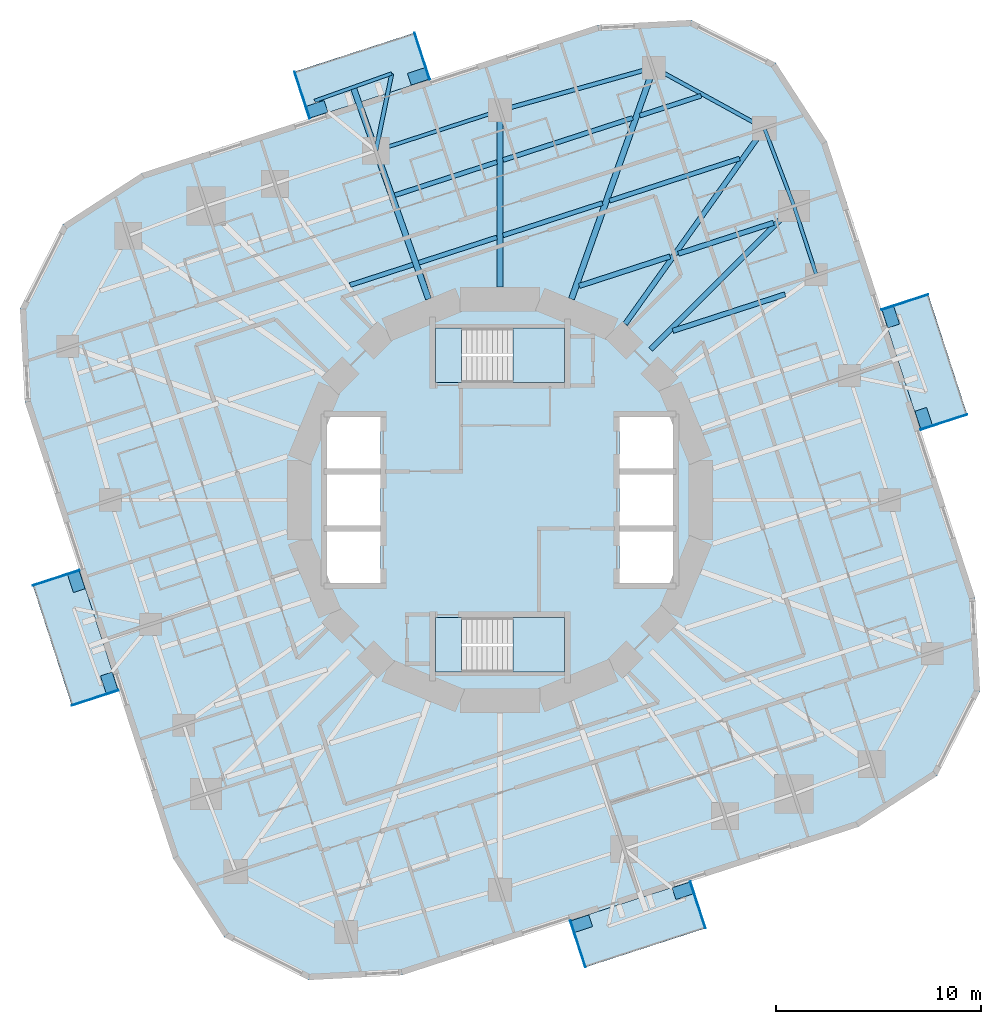
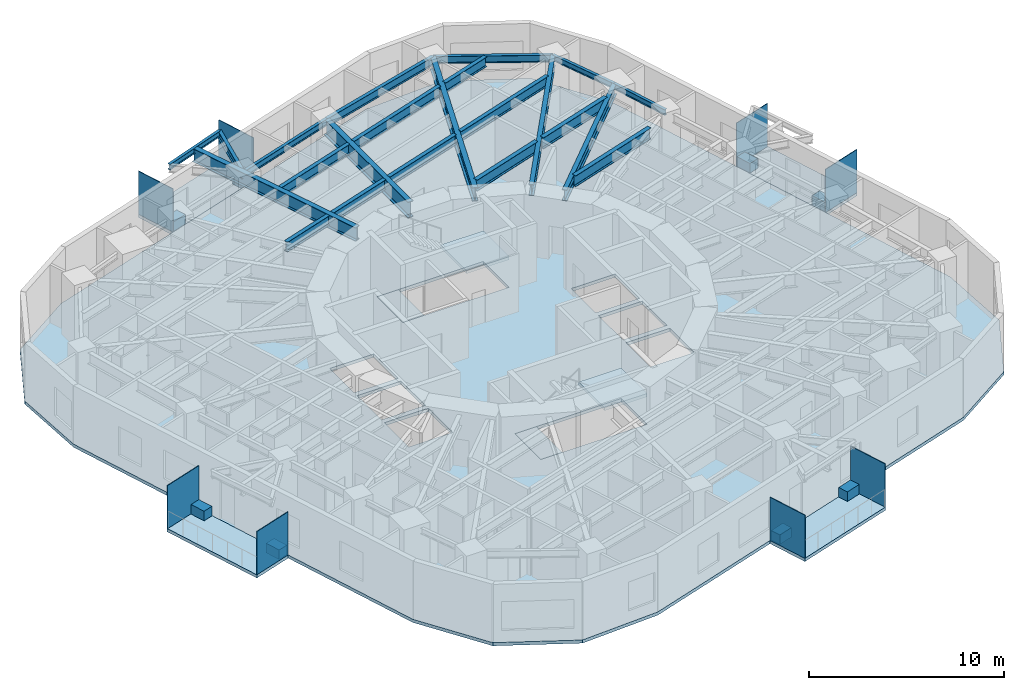
# One storey, part 3 of 13: 22 beams, 16 plates, 9 slabs, 2 elements without a shape of their own.
"""IFC4 building model written with IfcOpenShell, lengths in metres."""

from ifc_helpers import new_model, si_unit, direction, frame, origin, origin_2d, place, context, subcontext, project, spatial, polyline, rectangle, i_section, outline, extrude, material, layer, layer_set, material_profile, profile_set, type_object, element, aggregate, save


model = new_model("IFC4")

# Units and contexts
model_context = context("Model", 3, precision=1e-05, world=origin(), true_north=direction((0.0, 1.0)))
body_context = subcontext(model_context, "Body", "Model", "MODEL_VIEW")
ifc_project = project(units=[si_unit("LENGTHUNIT", "METRE"), si_unit("AREAUNIT", "SQUARE_METRE"), si_unit("VOLUMEUNIT", "CUBIC_METRE"), si_unit("PLANEANGLEUNIT", "RADIAN"), si_unit("MASSUNIT", "GRAM", prefix="KILO")], contexts=[model_context])

# Site, building, storey
site_placement = place(None, origin())
site = spatial("IfcSite", under=ifc_project, at=site_placement, CompositionType="ELEMENT")
building_placement = place(site_placement, origin())
building = spatial("IfcBuilding", under=site, at=building_placement, Name="Nakasero Lantern House", CompositionType="ELEMENT")
storey_placement = place(building_placement, frame((0.0, 0.0, 164.89990234375)))
storey = spatial("IfcBuildingStorey", under=building, at=storey_placement, Name="L40", CompositionType="ELEMENT", Elevation=164.89990234375)

# Beams
ifc_material_1 = material(Name="Steel S355", Category="steel")
ifc_material_profile_1 = material_profile(ifc_material_1, i_section(OverallWidth=0.199462890625, OverallDepth=0.491943359375, WebThickness=0.01806640625, FlangeThickness=0.031982421875, FilletRadius=0.01025390625, at=origin_2d()), Name="UB 457x191x161")
ifc_profile_set_1 = profile_set([ifc_material_profile_1], Name="Steel S355")
beam_type_1 = type_object("IfcBeamType", Name="Balcony splay beam UB 457x191x161", PredefinedType="BEAM", material=ifc_profile_set_1)
beam_1_placement = place(storey_placement, frame((-6.06591796875, 17.060546875, 3.404052734375), z_axis=(0.201831438605, 0.979420272605, 0.0), x_axis=(-0.979420272605, 0.201831438605, 0.0)))
element("IfcBeam", 1, at=beam_1_placement, inside=storey, type_object=beam_type_1, Name="Balcony splay beam L41 B4-C10B", PredefinedType="BEAM", context=body_context, shape_type="SweptSolid", body=[
    extrude(i_section(OverallWidth=0.199462890625, OverallDepth=0.491943359375, WebThickness=0.01806640625, FlangeThickness=0.031982421875, FilletRadius=0.01025390625, at=origin_2d()), origin(), (0.0, 0.0, 1.0), 3.858642578125),
])
ifc_material_2 = material(Name="Steel S355", Category="steel")
ifc_material_profile_2 = material_profile(ifc_material_2, i_section(OverallWidth=0.17138671875, OverallDepth=0.35498046875, WebThickness=0.00732421875, FlangeThickness=0.011474609375, FilletRadius=0.01025390625, at=origin_2d()), Name="UB 356x171x51")
ifc_profile_set_2 = profile_set([ifc_material_profile_2], Name="Steel S355")
beam_type_2 = type_object("IfcBeamType", Name="Balcony tie beam UB 356x171x51", PredefinedType="BEAM", material=ifc_profile_set_2)
beam_2_placement = place(storey_placement, frame((-9.055908203125, 19.499755859375, 3.47265625), z_axis=(0.942209124415, 0.335025321236, 0.0), x_axis=(-0.335025321236, 0.942209124415, 0.0)))
element("IfcBeam", 2, at=beam_2_placement, inside=storey, type_object=beam_type_2, Name="Balcony tie beam L41 B4-C10", PredefinedType="BEAM", context=body_context, shape_type="SweptSolid", body=[
    extrude(i_section(OverallWidth=0.17138671875, OverallDepth=0.35498046875, WebThickness=0.00732421875, FlangeThickness=0.011474609375, FilletRadius=0.01025390625, at=origin_2d()), origin(), (0.0, 0.0, 1.0), 4.0),
])
ifc_material_3 = material(Name="Steel S355", Category="steel")
ifc_material_profile_3 = material_profile(ifc_material_3, i_section(OverallWidth=0.22900390625, OverallDepth=0.6123046875, WebThickness=0.011962890625, FlangeThickness=0.01953125, FilletRadius=0.0126953125, at=origin_2d()), Name="UB 610x229x125")
ifc_profile_set_3 = profile_set([ifc_material_profile_3], Name="Steel S355")
beam_type_3 = type_object("IfcBeamType", Name="Infill beam UB 610x229x125", PredefinedType="JOIST", material=ifc_profile_set_3)
beam_3_placement = place(storey_placement, frame((-7.326171875, 10.5, 3.343994140625), z_axis=(0.951059536905, 0.309007697738, 0.0), x_axis=(-0.309007697738, 0.951059536905, 0.0)))
element("IfcBeam", 3, at=beam_3_placement, inside=storey, type_object=beam_type_3, Name="Infill beam L41 11.5", PredefinedType="JOIST", context=body_context, shape_type="SweptSolid", body=[
    extrude(i_section(OverallWidth=0.22900390625, OverallDepth=0.6123046875, WebThickness=0.011962890625, FlangeThickness=0.01953125, FilletRadius=0.0126953125, at=origin_2d()), origin(), (0.0, 0.0, 1.0), 3.240234375),
])
beam_4_placement = place(storey_placement, frame((-3.96630859375, 11.591796875, 3.343994140625), z_axis=(0.95105910343, 0.309009031878, 0.0), x_axis=(-0.309009031878, 0.95105910343, 0.0)))
element("IfcBeam", 4, at=beam_4_placement, inside=storey, type_object=beam_type_3, Name="Infill beam L41 11.6", PredefinedType="JOIST", context=body_context, shape_type="SweptSolid", body=[
    extrude(i_section(OverallWidth=0.22900390625, OverallDepth=0.6123046875, WebThickness=0.011962890625, FlangeThickness=0.01953125, FilletRadius=0.0126953125, at=origin_2d()), origin(), (0.0, 0.0, 1.0), 4.0126953125),
])
beam_5_placement = place(storey_placement, frame((0.14990234375, 12.92919921875, 3.343994140625), z_axis=(0.951057977144, 0.309012498309, 0.0), x_axis=(-0.309012498309, 0.951057977144, 0.0)))
element("IfcBeam", 5, at=beam_5_placement, inside=storey, type_object=beam_type_3, Name="Infill beam L41 11.7", PredefinedType="JOIST", context=body_context, shape_type="SweptSolid", body=[
    extrude(i_section(OverallWidth=0.22900390625, OverallDepth=0.6123046875, WebThickness=0.011962890625, FlangeThickness=0.01953125, FilletRadius=0.0126953125, at=origin_2d()), origin(), (0.0, 0.0, 1.0), 5.102294921875),
])
beam_6_placement = place(storey_placement, frame((5.353271484375, 14.619873046875, 3.343994140625), z_axis=(0.951056080098, 0.30901833685, 0.0), x_axis=(-0.30901833685, 0.951056080098, 0.0)))
element("IfcBeam", 6, at=beam_6_placement, inside=storey, type_object=beam_type_3, Name="Infill beam L41 11.8", PredefinedType="JOIST", context=body_context, shape_type="SweptSolid", body=[
    extrude(i_section(OverallWidth=0.22900390625, OverallDepth=0.6123046875, WebThickness=0.011962890625, FlangeThickness=0.01953125, FilletRadius=0.0126953125, at=origin_2d()), origin(), (0.0, 0.0, 1.0), 6.68310546875),
])
beam_7_placement = place(storey_placement, frame((-5.139404296875, 14.890625, 3.343994140625), z_axis=(0.951061765699, 0.309000837904, 0.0), x_axis=(-0.309000837904, 0.951061765699, 0.0)))
element("IfcBeam", 7, at=beam_7_placement, inside=storey, type_object=beam_type_3, Name="Infill beam L41 12.5", PredefinedType="JOIST", context=body_context, shape_type="SweptSolid", body=[
    extrude(i_section(OverallWidth=0.22900390625, OverallDepth=0.6123046875, WebThickness=0.011962890625, FlangeThickness=0.01953125, FilletRadius=0.0126953125, at=origin_2d()), origin(), (0.0, 0.0, 1.0), 5.246337890625),
])
beam_8_placement = place(storey_placement, frame((0.14990234375, 16.609375, 3.343994140625), z_axis=(0.951068556075, 0.308979937287, 0.0), x_axis=(-0.308979937287, 0.951068556075, 0.0)))
element("IfcBeam", 8, at=beam_8_placement, inside=storey, type_object=beam_type_3, Name="Infill beam L41 12.6", PredefinedType="JOIST", context=body_context, shape_type="SweptSolid", body=[
    extrude(i_section(OverallWidth=0.22900390625, OverallDepth=0.6123046875, WebThickness=0.011962890625, FlangeThickness=0.01953125, FilletRadius=0.0126953125, at=origin_2d()), origin(), (0.0, 0.0, 1.0), 6.65771484375),
])
beam_9_placement = place(storey_placement, frame((6.832763671875, 18.780517578125, 3.343994140625), z_axis=(0.951054602662, 0.309022883872, 0.0), x_axis=(-0.309022883872, 0.951054602662, 0.0)))
element("IfcBeam", 9, at=beam_9_placement, inside=storey, type_object=beam_type_3, Name="Infill beam L41 12.7", PredefinedType="JOIST", context=body_context, shape_type="SweptSolid", body=[
    extrude(i_section(OverallWidth=0.22900390625, OverallDepth=0.6123046875, WebThickness=0.011962890625, FlangeThickness=0.01953125, FilletRadius=0.0126953125, at=origin_2d()), origin(), (0.0, 0.0, 1.0), 3.145263671875),
])
ifc_material_4 = material(Name="Steel S355", Category="steel")
ifc_material_profile_4 = material_profile(ifc_material_4, i_section(OverallWidth=0.253662109375, OverallDepth=0.68359375, WebThickness=0.012451171875, FlangeThickness=0.01904296875, FilletRadius=0.01513671875, at=origin_2d()), Name="UB 686x254x140")
ifc_profile_set_4 = profile_set([ifc_material_profile_4], Name="Steel S355")
beam_type_4 = type_object("IfcBeamType", Name="Infill beam UB 686x254x140", PredefinedType="JOIST", material=ifc_profile_set_4)
beam_10_placement = place(storey_placement, frame((8.44287109375, 8.263427734375, 3.308349609375), z_axis=(0.951055211673, 0.309021009559, 0.0), x_axis=(-0.309021009559, 0.951055211673, 0.0)))
element("IfcBeam", 10, at=beam_10_placement, inside=storey, type_object=beam_type_4, Name="Infill beam L41 09.2", PredefinedType="JOIST", context=body_context, shape_type="SweptSolid", body=[
    extrude(i_section(OverallWidth=0.253662109375, OverallDepth=0.68359375, WebThickness=0.012451171875, FlangeThickness=0.01904296875, FilletRadius=0.01513671875, at=origin_2d()), origin(), (0.0, 0.0, 1.0), 5.769775390625),
])
beam_11_placement = place(storey_placement, frame((3.8740234375, 10.458984375, 3.308349609375), z_axis=(0.95106063111, 0.309004329989, 0.0), x_axis=(-0.309004329989, 0.95106063111, 0.0)))
element("IfcBeam", 11, at=beam_11_placement, inside=storey, type_object=beam_type_4, Name="Infill beam L41 10.3", PredefinedType="JOIST", context=body_context, shape_type="SweptSolid", body=[
    extrude(i_section(OverallWidth=0.253662109375, OverallDepth=0.68359375, WebThickness=0.012451171875, FlangeThickness=0.01904296875, FilletRadius=0.01513671875, at=origin_2d()), origin(), (0.0, 0.0, 1.0), 4.659912109375),
])
beam_12_placement = place(storey_placement, frame((8.710693359375, 12.030517578125, 3.308349609375), z_axis=(0.951061574069, 0.309001427713, 0.0), x_axis=(-0.309001427713, 0.951061574069, 0.0)))
element("IfcBeam", 12, at=beam_12_placement, inside=storey, type_object=beam_type_4, Name="Infill beam L41 10.4", PredefinedType="JOIST", context=body_context, shape_type="SweptSolid", body=[
    extrude(i_section(OverallWidth=0.253662109375, OverallDepth=0.68359375, WebThickness=0.012451171875, FlangeThickness=0.01904296875, FilletRadius=0.01513671875, at=origin_2d()), origin(), (0.0, 0.0, 1.0), 4.8916015625),
])
ifc_material_5 = material(Name="Steel S355", Category="steel")
ifc_material_profile_5 = material_profile(ifc_material_5, i_section(OverallWidth=0.300048828125, OverallDepth=0.989990234375, WebThickness=0.0166015625, FlangeThickness=0.031005859375, FilletRadius=0.030029296875, at=origin_2d()), Name="UB 1016x305x272")
ifc_profile_set_5 = profile_set([ifc_material_profile_5], Name="Steel S355")
beam_type_5 = type_object("IfcBeamType", Name="Primary beam UB 1016x305x272, span 6 to 9 m", PredefinedType="BEAM", material=ifc_profile_set_5)
beam_13_placement = place(storey_placement, frame((0.0, 19.031494140625, 3.155029296875), z_axis=(0.0, -1.0, 0.0), x_axis=(1.0, 0.0, 0.0)))
element("IfcBeam", 13, at=beam_13_placement, inside=storey, type_object=beam_type_5, Name="Primary beam L41 B4-C09", PredefinedType="BEAM", context=body_context, shape_type="SweptSolid", body=[
    extrude(i_section(OverallWidth=0.300048828125, OverallDepth=0.989990234375, WebThickness=0.0166015625, FlangeThickness=0.031005859375, FilletRadius=0.030029296875, at=origin_2d()), origin(), (0.0, 0.0, 1.0), 8.62353515625),
])
ifc_material_6 = material(Name="Steel S355", Category="steel")
ifc_material_profile_6 = material_profile(ifc_material_6, i_section(OverallWidth=0.253662109375, OverallDepth=0.68359375, WebThickness=0.012451171875, FlangeThickness=0.01904296875, FilletRadius=0.01513671875, at=origin_2d()), Name="UB 686x254x140")
ifc_profile_set_6 = profile_set([ifc_material_profile_6], Name="Steel S355")
beam_type_6 = type_object("IfcBeamType", Name="Primary beam UB 686x254x140, span 9 to 12 m", PredefinedType="BEAM", material=ifc_profile_set_6)
beam_14_placement = place(storey_placement, frame((14.3642578125, 14.3642578125, 3.308349609375), z_axis=(-0.707106781187, -0.707106781187, 0.0), x_axis=(0.707106781187, -0.707106781187, 0.0)))
element("IfcBeam", 14, at=beam_14_placement, inside=storey, type_object=beam_type_6, Name="Primary beam L41 B4-C06", PredefinedType="BEAM", context=body_context, shape_type="SweptSolid", body=[
    extrude(i_section(OverallWidth=0.253662109375, OverallDepth=0.68359375, WebThickness=0.012451171875, FlangeThickness=0.01904296875, FilletRadius=0.01513671875, at=origin_2d()), origin(), (0.0, 0.0, 1.0), 9.906494140625),
])
beam_15_placement = place(storey_placement, frame((12.916015625, 18.1630859375, 3.308349609375), z_axis=(-0.579530236062, -0.814950738075, 0.0), x_axis=(0.814950738075, -0.579530236062, 0.0)))
element("IfcBeam", 15, at=beam_15_placement, inside=storey, type_object=beam_type_6, Name="Primary beam L41 B4-C07", PredefinedType="BEAM", context=body_context, shape_type="SweptSolid", body=[
    extrude(i_section(OverallWidth=0.253662109375, OverallDepth=0.68359375, WebThickness=0.012451171875, FlangeThickness=0.01904296875, FilletRadius=0.01513671875, at=origin_2d()), origin(), (0.0, 0.0, 1.0), 11.73193359375),
])
ifc_material_7 = material(Name="Steel S355", Category="steel")
ifc_material_profile_7 = material_profile(ifc_material_7, i_section(OverallWidth=0.29248046875, OverallDepth=0.8408203125, WebThickness=0.0146484375, FlangeThickness=0.02685546875, FilletRadius=0.017822265625, at=origin_2d()), Name="UB 838x292x194")
ifc_profile_set_7 = profile_set([ifc_material_profile_7], Name="Steel S355")
beam_type_7 = type_object("IfcBeamType", Name="Primary beam UB 838x292x194, span 12 to 15 m", PredefinedType="BEAM", material=ifc_profile_set_7)
beam_16_placement = place(storey_placement, frame((7.5126953125, 21.129638671875, 3.229736328125), z_axis=(-0.335012877559, -0.942213548974, 0.0), x_axis=(0.942213548974, -0.335012877559, 0.0)))
element("IfcBeam", 16, at=beam_16_placement, inside=storey, type_object=beam_type_7, Name="Primary beam L41 B4-C08", PredefinedType="BEAM", context=body_context, shape_type="SweptSolid", body=[
    extrude(i_section(OverallWidth=0.29248046875, OverallDepth=0.8408203125, WebThickness=0.0146484375, FlangeThickness=0.02685546875, FilletRadius=0.017822265625, at=origin_2d()), origin(), (0.0, 0.0, 1.0), 12.00390625),
])
ifc_material_8 = material(Name="Steel S355", Category="steel")
ifc_material_profile_8 = material_profile(ifc_material_8, i_section(OverallWidth=0.29248046875, OverallDepth=0.8408203125, WebThickness=0.0146484375, FlangeThickness=0.02685546875, FilletRadius=0.017822265625, at=origin_2d()), Name="UB 838x292x194")
ifc_profile_set_8 = profile_set([ifc_material_profile_8], Name="Steel S355")
beam_type_8 = type_object("IfcBeamType", Name="Primary beam UB 838x292x194, span 6 to 9 m", PredefinedType="BEAM", material=ifc_profile_set_8)
beam_17_placement = place(storey_placement, frame((-7.17138671875, 20.169921875, 3.229736328125), z_axis=(0.335007036998, -0.942215625619, 0.0), x_axis=(0.942215625619, 0.335007036998, 0.0)))
element("IfcBeam", 17, at=beam_17_placement, inside=storey, type_object=beam_type_8, Name="Primary beam L41 B4-C10", PredefinedType="BEAM", context=body_context, shape_type="SweptSolid", body=[
    extrude(i_section(OverallWidth=0.29248046875, OverallDepth=0.8408203125, WebThickness=0.0146484375, FlangeThickness=0.02685546875, FilletRadius=0.017822265625, at=origin_2d()), origin(), (0.0, 0.0, 1.0), 10.9853515625),
])
ifc_material_9 = material(Name="Steel S355", Category="steel")
ifc_material_profile_9 = material_profile(ifc_material_9, i_section(OverallWidth=0.17138671875, OverallDepth=0.35498046875, WebThickness=0.00732421875, FlangeThickness=0.011474609375, FilletRadius=0.01025390625, at=origin_2d()), Name="UB 356x171x51")
ifc_profile_set_9 = profile_set([ifc_material_profile_9], Name="Steel S355")
beam_type_9 = type_object("IfcBeamType", Name="Ring beam UB 356x171x51", PredefinedType="BEAM", material=ifc_profile_set_9)
beam_18_placement = place(storey_placement, frame((15.45947265625, 10.993408203125, 3.47265625), z_axis=(-0.309006636447, 0.951059881727, 0.0), x_axis=(-0.951059881727, -0.309006636447, 0.0)))
element("IfcBeam", 18, at=beam_18_placement, inside=storey, type_object=beam_type_9, Name="Ring beam L41 B4-C05", PredefinedType="BEAM", context=body_context, shape_type="SweptSolid", body=[
    extrude(i_section(OverallWidth=0.17138671875, OverallDepth=0.35498046875, WebThickness=0.00732421875, FlangeThickness=0.011474609375, FilletRadius=0.01025390625, at=origin_2d()), origin(), (0.0, 0.0, 1.0), 3.544189453125),
])
beam_19_placement = place(storey_placement, frame((14.3642578125, 14.3642578125, 3.47265625), z_axis=(-0.35622505813, 0.934400186194, 0.0), x_axis=(-0.934400186194, -0.35622505813, 0.0)))
element("IfcBeam", 19, at=beam_19_placement, inside=storey, type_object=beam_type_9, Name="Ring beam L41 B4-C06", PredefinedType="BEAM", context=body_context, shape_type="SweptSolid", body=[
    extrude(i_section(OverallWidth=0.17138671875, OverallDepth=0.35498046875, WebThickness=0.00732421875, FlangeThickness=0.011474609375, FilletRadius=0.01025390625, at=origin_2d()), origin(), (0.0, 0.0, 1.0), 4.0654296875),
])
ifc_material_10 = material(Name="Steel S355", Category="steel")
ifc_material_profile_10 = material_profile(ifc_material_10, i_section(OverallWidth=0.179443359375, OverallDepth=0.412841796875, WebThickness=0.009521484375, FlangeThickness=0.01611328125, FilletRadius=0.01025390625, at=origin_2d()), Name="UB 406x178x74")
ifc_profile_set_10 = profile_set([ifc_material_profile_10], Name="Steel S355")
beam_type_10 = type_object("IfcBeamType", Name="Ring beam UB 406x178x74", PredefinedType="BEAM", material=ifc_profile_set_10)
beam_20_placement = place(storey_placement, frame((0.0, 19.031494140625, 3.443603515625), z_axis=(-0.951056007502, -0.309018560274, 0.0), x_axis=(0.309018560274, -0.951056007502, 0.0)))
element("IfcBeam", 20, at=beam_20_placement, inside=storey, type_object=beam_type_10, Name="Ring beam L41 B4-C09", PredefinedType="BEAM", context=body_context, shape_type="SweptSolid", body=[
    extrude(i_section(OverallWidth=0.179443359375, OverallDepth=0.412841796875, WebThickness=0.009521484375, FlangeThickness=0.01611328125, FilletRadius=0.01025390625, at=origin_2d()), origin(), (0.0, 0.0, 1.0), 6.378173828125),
])
ifc_material_11 = material(Name="Steel S355", Category="steel")
ifc_material_profile_11 = material_profile(ifc_material_11, i_section(OverallWidth=0.18994140625, OverallDepth=0.453369140625, WebThickness=0.008544921875, FlangeThickness=0.0126953125, FilletRadius=0.01025390625, at=origin_2d()), Name="UB 457x191x67")
ifc_profile_set_11 = profile_set([ifc_material_profile_11], Name="Steel S355")
beam_type_11 = type_object("IfcBeamType", Name="Ring beam UB 457x191x67", PredefinedType="BEAM", material=ifc_profile_set_11)
beam_21_placement = place(storey_placement, frame((12.916015625, 18.1630859375, 3.42333984375), z_axis=(-0.876576912681, 0.481261795861, 0.0), x_axis=(-0.481261795861, -0.876576912681, 0.0)))
element("IfcBeam", 21, at=beam_21_placement, inside=storey, type_object=beam_type_11, Name="Ring beam L41 B4-C07", PredefinedType="BEAM", context=body_context, shape_type="SweptSolid", body=[
    extrude(i_section(OverallWidth=0.18994140625, OverallDepth=0.453369140625, WebThickness=0.008544921875, FlangeThickness=0.0126953125, FilletRadius=0.01025390625, at=origin_2d()), origin(), (0.0, 0.0, 1.0), 6.1640625),
])
ifc_material_12 = material(Name="Steel S355", Category="steel")
ifc_material_profile_12 = material_profile(ifc_material_12, i_section(OverallWidth=0.208740234375, OverallDepth=0.5283203125, WebThickness=0.009521484375, FlangeThickness=0.01318359375, FilletRadius=0.0126953125, at=origin_2d()), Name="UB 533x210x82")
ifc_profile_set_12 = profile_set([ifc_material_profile_12], Name="Steel S355")
beam_type_12 = type_object("IfcBeamType", Name="Ring beam UB 533x210x82", PredefinedType="BEAM", material=ifc_profile_set_12)
beam_22_placement = place(storey_placement, frame((7.5126953125, 21.129638671875, 3.385986328125), z_axis=(-0.963143892339, -0.268986696047, 0.0), x_axis=(0.268986696047, -0.963143892339, 0.0)))
element("IfcBeam", 22, at=beam_22_placement, inside=storey, type_object=beam_type_12, Name="Ring beam L41 B4-C08", PredefinedType="BEAM", context=body_context, shape_type="SweptSolid", body=[
    extrude(i_section(OverallWidth=0.208740234375, OverallDepth=0.5283203125, WebThickness=0.009521484375, FlangeThickness=0.01318359375, FilletRadius=0.0126953125, at=origin_2d()), origin(), (0.0, 0.0, 1.0), 7.80029296875),
])

# Plates
ifc_material_13 = material(Name="Aluminium 6063-T6", Category="aluminium")
ifc_layer_1 = layer(ifc_material_13, 0.60009765625)
ifc_layer_set_1 = layer_set([ifc_layer_1], Name="Balcony planter 600x900")
plate_type_1 = type_object("IfcPlateType", Name="Balcony planter 600x900", PredefinedType="USERDEFINED", material=ifc_layer_set_1)
for number, where, z_axis, x_axis, name in (
    (23, (20.696533203125, 4.00146484375, 0.0), (0.0, 0.0, 1.0), (0.951056516295, 0.309016994375, 0.0), "Balcony PLANTER L40 BAL0A"),
    (24, (19.095703125, 8.927978515625, 0.0), (0.0, 0.0, 1.0), (0.951056516295, 0.309016994375, 0.0), "Balcony PLANTER L40 BAL0B"),
    (25, (-4.00146484375, 20.696533203125, 0.0), (0.0, 0.0, 1.0), (-0.309016994375, 0.951056516295, 0.0), "Balcony PLANTER L40 BAL1A"),
    (26, (-8.927978515625, 19.095703125, 0.0), (0.0, 0.0, 1.0), (-0.309016994375, 0.951056516295, 0.0), "Balcony PLANTER L40 BAL1B"),
    (27, (-20.696533203125, -4.00146484375, 0.0), (0.0, 0.0, 1.0), (-0.951056516295, -0.309016994375, 0.0), "Balcony PLANTER L40 BAL2A"),
    (28, (-19.095703125, -8.927978515625, 0.0), (0.0, 0.0, 1.0), (-0.951056516295, -0.309016994375, 0.0), "Balcony PLANTER L40 BAL2B"),
    (29, (4.00146484375, -20.696533203125, 0.0), (0.0, 0.0, 1.0), (0.309016994375, -0.951056516295, 0.0), "Balcony PLANTER L40 BAL3A"),
    (30, (8.927978515625, -19.095703125, 0.0), (0.0, 0.0, 1.0), (0.309016994375, -0.951056516295, 0.0), "Balcony PLANTER L40 BAL3B"),
):
    element("IfcPlate", number, at=place(storey_placement, frame(where, z_axis=z_axis, x_axis=x_axis)), inside=storey, type_object=plate_type_1, Name=name, ObjectType="PLANTER", PredefinedType="USERDEFINED", context=body_context, shape_type="SweptSolid", body=[
        extrude(rectangle(XDim=0.60009765625, YDim=0.89990234375, at=origin_2d()), origin(), (0.0, 0.0, 1.0), 0.60009765625),
    ])
ifc_material_14 = material(Name="Aluminium 6063-T6", Category="aluminium")
ifc_layer_2 = layer(ifc_material_14, 0.0400390625)
ifc_layer_set_2 = layer_set([ifc_layer_2], Name="Balcony screen 2400x2700")
plate_type_2 = type_object("IfcPlateType", Name="Balcony screen 2400x2700", PredefinedType="SHEET", material=ifc_layer_set_2)
for number, where, z_axis, x_axis, name in (
    (31, (21.684814453125, 3.807373046875, 0.0), (0.0, 0.0, 1.0), (0.951056516295, 0.309016994375, 0.0), "Balcony SCREEN L40 BAL0A"),
    (32, (19.78125, 9.665771484375, 0.0), (0.0, 0.0, 1.0), (0.951056516295, 0.309016994375, 0.0), "Balcony SCREEN L40 BAL0B"),
    (33, (-3.807373046875, 21.684814453125, 0.0), (0.0, 0.0, 1.0), (-0.309016994375, 0.951056516295, 0.0), "Balcony SCREEN L40 BAL1A"),
    (34, (-9.665771484375, 19.78125, 0.0), (0.0, 0.0, 1.0), (-0.309016994375, 0.951056516295, 0.0), "Balcony SCREEN L40 BAL1B"),
    (35, (-21.684814453125, -3.807373046875, 0.0), (0.0, 0.0, 1.0), (-0.951056516295, -0.309016994375, 0.0), "Balcony SCREEN L40 BAL2A"),
    (36, (-19.78125, -9.665771484375, 0.0), (0.0, 0.0, 1.0), (-0.951056516295, -0.309016994375, 0.0), "Balcony SCREEN L40 BAL2B"),
    (37, (3.807373046875, -21.684814453125, 0.0), (0.0, 0.0, 1.0), (0.309016994375, -0.951056516295, 0.0), "Balcony SCREEN L40 BAL3A"),
    (38, (9.665771484375, -19.78125, 0.0), (0.0, 0.0, 1.0), (0.309016994375, -0.951056516295, 0.0), "Balcony SCREEN L40 BAL3B"),
):
    element("IfcPlate", number, at=place(storey_placement, frame(where, z_axis=z_axis, x_axis=x_axis)), inside=storey, type_object=plate_type_2, Name=name, PredefinedType="SHEET", context=body_context, shape_type="SweptSolid", body=[
        extrude(rectangle(XDim=2.39990234375, YDim=0.0400390625, at=origin_2d()), origin(), (0.0, 0.0, 1.0), 2.699951171875),
    ])

# Slabs
ifc_material_15 = material(Name="Concrete C35/45", Category="concrete")
ifc_layer_3 = layer(ifc_material_15, 0.199951171875)
ifc_layer_set_3 = layer_set([ifc_layer_3], Name="Balcony slab 200")
slab_type_1 = type_object("IfcSlabType", Name="Balcony slab 200", PredefinedType="USERDEFINED", material=ifc_layer_set_3)
slab_1_placement = place(storey_placement, frame((0.0, 0.0, -0.199951171875)))
element("IfcSlab", 39, at=slab_1_placement, inside=storey, type_object=slab_type_1, Name="Balcony L40 BAL0", ObjectType="BALCONY", PredefinedType="USERDEFINED", context=body_context, shape_type="SweptSolid", body=[
    extrude(outline(polyline([(20.5498046875, 3.41748046875), (22.832275390625, 4.1591796875), (20.916259765625, 10.0556640625), (18.6337890625, 9.31396484375), (20.5498046875, 3.41748046875)])), origin(), (0.0, 0.0, 1.0), 0.199951171875),
])
slab_2_placement = place(storey_placement, frame((0.0, 0.0, -0.199951171875)))
element("IfcSlab", 40, at=slab_2_placement, inside=storey, type_object=slab_type_1, Name="Balcony L40 BAL1", ObjectType="BALCONY", PredefinedType="USERDEFINED", context=body_context, shape_type="SweptSolid", body=[
    extrude(outline(polyline([(-3.41748046875, 20.5498046875), (-4.1591796875, 22.832275390625), (-10.0556640625, 20.916259765625), (-9.31396484375, 18.6337890625), (-3.41748046875, 20.5498046875)])), origin(), (0.0, 0.0, 1.0), 0.199951171875),
])
slab_3_placement = place(storey_placement, frame((0.0, 0.0, -0.199951171875)))
element("IfcSlab", 41, at=slab_3_placement, inside=storey, type_object=slab_type_1, Name="Balcony L40 BAL2", ObjectType="BALCONY", PredefinedType="USERDEFINED", context=body_context, shape_type="SweptSolid", body=[
    extrude(outline(polyline([(-20.5498046875, -3.41748046875), (-22.832275390625, -4.1591796875), (-20.916259765625, -10.0556640625), (-18.6337890625, -9.31396484375), (-20.5498046875, -3.41748046875)])), origin(), (0.0, 0.0, 1.0), 0.199951171875),
])
slab_4_placement = place(storey_placement, frame((0.0, 0.0, -0.199951171875)))
element("IfcSlab", 42, at=slab_4_placement, inside=storey, type_object=slab_type_1, Name="Balcony L40 BAL3", ObjectType="BALCONY", PredefinedType="USERDEFINED", context=body_context, shape_type="SweptSolid", body=[
    extrude(outline(polyline([(3.41748046875, -20.5498046875), (4.1591796875, -22.832275390625), (10.0556640625, -20.916259765625), (9.31396484375, -18.6337890625), (3.41748046875, -20.5498046875)])), origin(), (0.0, 0.0, 1.0), 0.199951171875),
])
ifc_material_16 = material(Name="Concrete C35/45", Category="concrete")
ifc_layer_4 = layer(ifc_material_16, 0.199951171875)
ifc_layer_set_4 = layer_set([ifc_layer_4], Name="Composite floor slab 200")
slab_type_2 = type_object("IfcSlabType", Name="Composite floor slab 200", PredefinedType="FLOOR", material=ifc_layer_set_4)
slab_5_placement = place(storey_placement, frame((0.0, 0.0, -0.199951171875)))
element("IfcSlab", 43, at=slab_5_placement, inside=storey, type_object=slab_type_2, Name="Floor slab L40", PredefinedType="FLOOR", context=body_context, shape_type="SweptSolid", body=[
    extrude(outline(polyline([(15.976318359375, 17.4931640625), (13.467041015625, 21.35693359375), (9.3623046875, 23.448486328125), (4.76171875, 23.207275390625), (-17.4931640625, 15.976318359375), (-21.35693359375, 13.467041015625), (-23.448486328125, 9.3623046875), (-23.207275390625, 4.76171875), (-15.976318359375, -17.4931640625), (-13.467041015625, -21.35693359375), (-9.3623046875, -23.448486328125), (-4.76171875, -23.207275390625), (17.4931640625, -15.976318359375), (21.35693359375, -13.467041015625), (23.448486328125, -9.3623046875), (23.207275390625, -4.76171875), (15.976318359375, 17.4931640625)]), holes=[polyline([(-8.449951171875, -4.050048828125), (-5.85009765625, -4.050048828125), (-5.85009765625, -1.550048828125), (-8.449951171875, -1.550048828125), (-8.449951171875, -4.050048828125)]), polyline([(-8.449951171875, -1.25), (-5.85009765625, -1.25), (-5.85009765625, 1.25), (-8.449951171875, 1.25), (-8.449951171875, -1.25)]), polyline([(-8.449951171875, 1.550048828125), (-5.85009765625, 1.550048828125), (-5.85009765625, 4.050048828125), (-8.449951171875, 4.050048828125), (-8.449951171875, 1.550048828125)]), polyline([(5.85009765625, -4.050048828125), (8.449951171875, -4.050048828125), (8.449951171875, -1.550048828125), (5.85009765625, -1.550048828125), (5.85009765625, -4.050048828125)]), polyline([(5.85009765625, -1.25), (8.449951171875, -1.25), (8.449951171875, 1.25), (5.85009765625, 1.25), (5.85009765625, -1.25)]), polyline([(5.85009765625, 1.550048828125), (8.449951171875, 1.550048828125), (8.449951171875, 4.050048828125), (5.85009765625, 4.050048828125), (5.85009765625, 1.550048828125)]), polyline([(-3.14990234375, 5.75), (3.14990234375, 5.75), (3.14990234375, 8.39990234375), (-3.14990234375, 8.39990234375), (-3.14990234375, 5.75)]), polyline([(-3.14990234375, -8.39990234375), (3.14990234375, -8.39990234375), (3.14990234375, -5.75), (-3.14990234375, -5.75), (-3.14990234375, -8.39990234375)])]), origin(), (0.0, 0.0, 1.0), 0.199951171875),
])

# Stair, slabs
ifc_material_17 = material(Name="Concrete C40/50", Category="concrete")
stair_type_1 = type_object("IfcStairType", Name="Escape stair ST1 22 risers", PredefinedType="HALF_TURN_STAIR", material=ifc_material_17)
stair_1_placement = place(storey_placement, origin())
stair_1 = element("IfcStair", 44, at=stair_1_placement, inside=storey, type_object=stair_type_1, Name="Escape stair ST1 L40", PredefinedType="HALF_TURN_STAIR")
ifc_material_18 = material(Name="Concrete C40/50", Category="concrete")
ifc_layer_5 = layer(ifc_material_18, 0.199951171875)
ifc_layer_set_5 = layer_set([ifc_layer_5], Name="Stair landing 200")
slab_type_3 = type_object("IfcSlabType", Name="Stair landing 200", PredefinedType="LANDING", material=ifc_layer_set_5)
slab_6_placement = place(storey_placement, frame((0.0, 0.0, -0.199951171875)))
slab_6 = element("IfcSlab", 45, at=slab_6_placement, type_object=slab_type_3, Name="ST1 landing 1", PredefinedType="LANDING", context=body_context, shape_type="SweptSolid", body=[
    extrude(outline(polyline([(-3.14990234375, 5.75), (-1.875, 5.75), (-1.875, 8.39990234375), (-3.14990234375, 8.39990234375), (-3.14990234375, 5.75)])), origin(), (0.0, 0.0, 1.0), 0.199951171875),
])
slab_7_placement = place(storey_placement, frame((0.0, 0.0, 1.72509765625)))
slab_7 = element("IfcSlab", 46, at=slab_7_placement, type_object=slab_type_3, Name="ST1 landing 2", PredefinedType="LANDING", context=body_context, shape_type="SweptSolid", body=[
    extrude(outline(polyline([(0.625, 5.75), (3.14990234375, 5.75), (3.14990234375, 8.39990234375), (0.625, 8.39990234375), (0.625, 5.75)])), origin(), (0.0, 0.0, 1.0), 0.199951171875),
])
aggregate(stair_1, [slab_6, slab_7])

ifc_material_19 = material(Name="Concrete C40/50", Category="concrete")
stair_type_2 = type_object("IfcStairType", Name="Escape stair ST2 22 risers", PredefinedType="HALF_TURN_STAIR", material=ifc_material_19)
stair_2_placement = place(storey_placement, origin())
stair_2 = element("IfcStair", 47, at=stair_2_placement, inside=storey, type_object=stair_type_2, Name="Escape stair ST2 L40", PredefinedType="HALF_TURN_STAIR")
slab_8_placement = place(storey_placement, frame((0.0, 0.0, -0.199951171875)))
slab_8 = element("IfcSlab", 48, at=slab_8_placement, type_object=slab_type_3, Name="ST2 landing 1", PredefinedType="LANDING", context=body_context, shape_type="SweptSolid", body=[
    extrude(outline(polyline([(-3.14990234375, -8.39990234375), (-1.875, -8.39990234375), (-1.875, -5.75), (-3.14990234375, -5.75), (-3.14990234375, -8.39990234375)])), origin(), (0.0, 0.0, 1.0), 0.199951171875),
])
slab_9_placement = place(storey_placement, frame((0.0, 0.0, 1.72509765625)))
slab_9 = element("IfcSlab", 49, at=slab_9_placement, type_object=slab_type_3, Name="ST2 landing 2", PredefinedType="LANDING", context=body_context, shape_type="SweptSolid", body=[
    extrude(outline(polyline([(0.625, -8.39990234375), (3.14990234375, -8.39990234375), (3.14990234375, -5.75), (0.625, -5.75), (0.625, -8.39990234375)])), origin(), (0.0, 0.0, 1.0), 0.199951171875),
])
aggregate(stair_2, [slab_8, slab_9])

save(model, "model.ifc")
